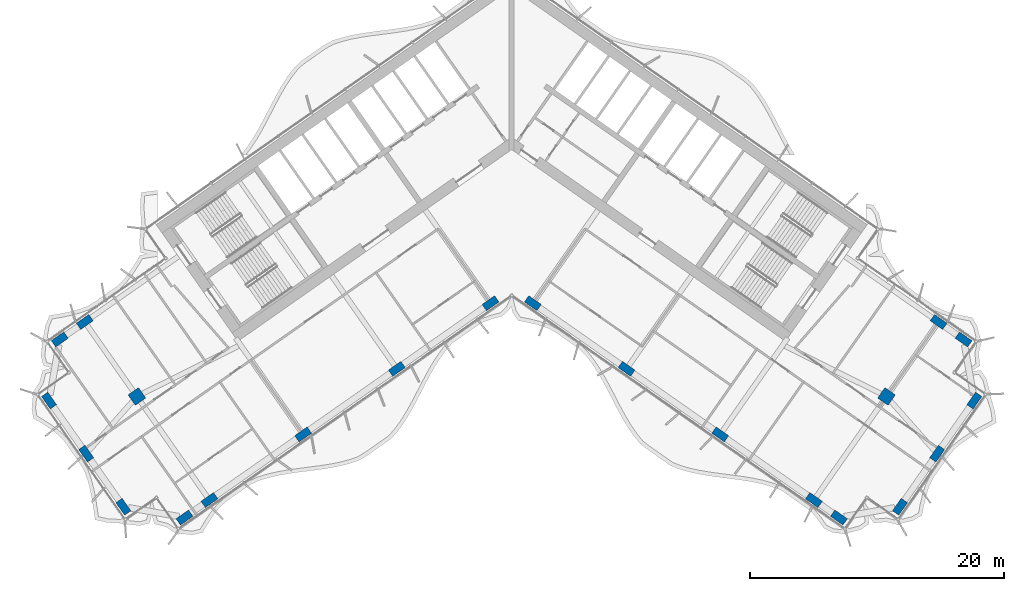
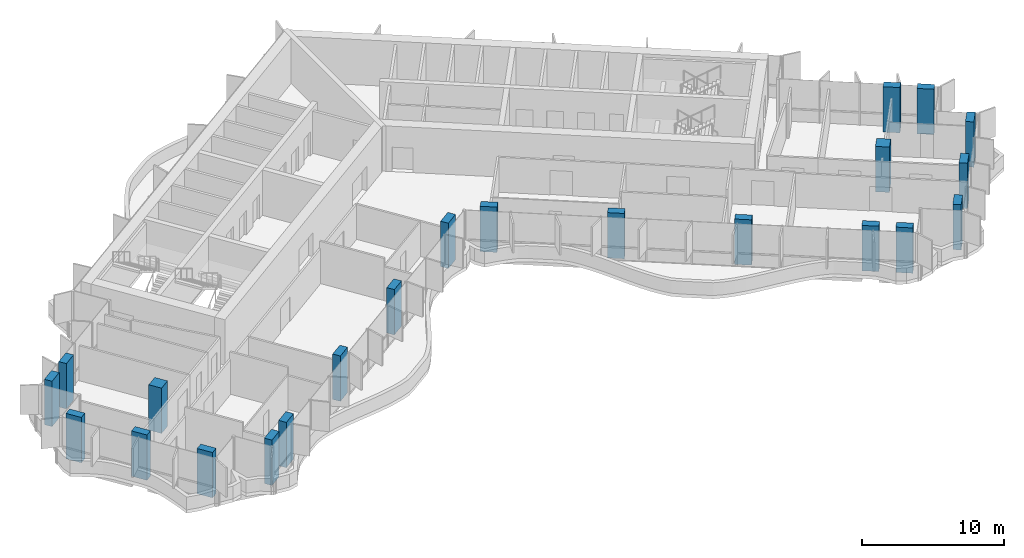
# One storey, part 1 of 23: 22 columns.
"""IFC4 building model written with IfcOpenShell, lengths in metres."""

from ifc_helpers import new_model, si_unit, direction, frame, origin, origin_2d, place, context, subcontext, project, spatial, rectangle, extrude, material, material_profile, profile_set, type_object, element, save


model = new_model("IFC4")

# Units and contexts
model_context = context("Model", 3, precision=1e-05, world=origin(), true_north=direction((0.0, 1.0)))
body_context = subcontext(model_context, "Body", "Model", "MODEL_VIEW")
ifc_project = project(units=[si_unit("LENGTHUNIT", "METRE"), si_unit("AREAUNIT", "SQUARE_METRE"), si_unit("VOLUMEUNIT", "CUBIC_METRE"), si_unit("PLANEANGLEUNIT", "RADIAN"), si_unit("MASSUNIT", "GRAM", prefix="KILO")], contexts=[model_context])

# Site, building, storey
site_placement = place(None, origin())
site = spatial("IfcSite", under=ifc_project, at=site_placement, CompositionType="ELEMENT")
building_placement = place(site_placement, origin())
building = spatial("IfcBuilding", under=site, at=building_placement, Name="Tel Ilan Convention Tower", CompositionType="ELEMENT")
storey_placement = place(building_placement, frame((0.0, 0.0, 171.0)))
storey = spatial("IfcBuildingStorey", under=building, at=storey_placement, Name="L39", CompositionType="ELEMENT", Elevation=171.0)

# Columns
ifc_material_1 = material(Name="Concrete C50/60", Category="concrete")
ifc_material_profile_1 = material_profile(ifc_material_1, rectangle(XDim=1.0, YDim=1.0, at=origin_2d()), Name="RC 1000x1000")
ifc_profile_set_1 = profile_set([ifc_material_profile_1], Name="Concrete C50/60")
column_type_1 = type_object("IfcColumnType", Name="Column RC 1000x1000 C50/60", PredefinedType="COLUMN", material=ifc_profile_set_1)
for number, where, z_axis, x_axis, name in (
    (1, (-29.489501953125, -20.648681640625, 0.0), (0.0, 0.0, 1.0), (-0.819152044289, -0.573576436351, 0.0), "L39 column W-M4"),
    (2, (29.489501953125, -20.648681640625, 0.0), (0.0, 0.0, 1.0), (0.819152044289, -0.573576436351, 0.0), "L39 column E-M4"),
):
    element("IfcColumn", number, at=place(storey_placement, frame(where, z_axis=z_axis, x_axis=x_axis)), inside=storey, type_object=column_type_1, Name=name, PredefinedType="COLUMN", context=body_context, shape_type="SweptSolid", body=[
        extrude(rectangle(XDim=1.0, YDim=1.0, at=origin_2d()), origin(), (0.0, 0.0, 1.0), 3.89990234375),
    ])
ifc_material_2 = material(Name="Concrete C50/60", Category="concrete")
ifc_material_profile_2 = material_profile(ifc_material_2, rectangle(XDim=1.199951171875, YDim=0.60009765625, at=origin_2d()), Name="RC 600x1200")
ifc_profile_set_2 = profile_set([ifc_material_profile_2], Name="Concrete C50/60")
column_type_2 = type_object("IfcColumnType", Name="Column RC 600x1200 C50/60", PredefinedType="COLUMN", material=ifc_profile_set_2)
for number, where, z_axis, x_axis, name in (
    (3, (-1.665283203125, -13.312744140625, 0.0), (0.0, 0.0, 1.0), (-0.819152044289, -0.573576436351, 0.0), "L39 column W-F1"),
    (4, (-9.03759765625, -18.474853515625, 0.0), (0.0, 0.0, 1.0), (-0.819152044289, -0.573576436351, 0.0), "L39 column W-F2"),
    (5, (-16.409912109375, -23.63720703125, 0.0), (0.0, 0.0, 1.0), (-0.819152044289, -0.573576436351, 0.0), "L39 column W-F3"),
    (6, (-23.782470703125, -28.79931640625, 0.0), (0.0, 0.0, 1.0), (-0.819152044289, -0.573576436351, 0.0), "L39 column W-F4"),
    (7, (-25.748291015625, -30.17578125, 0.0), (0.0, 0.0, 1.0), (-0.819152044289, -0.573576436351, 0.0), "L39 column W-FC"),
    (8, (-33.590576171875, -14.791748046875, 0.0), (0.0, 0.0, 1.0), (-0.819152044289, -0.573576436351, 0.0), "L39 column W-B4"),
    (9, (-35.556396484375, -16.16845703125, 0.0), (0.0, 0.0, 1.0), (-0.819152044289, -0.573576436351, 0.0), "L39 column W-BC"),
    (10, (-30.55322265625, -29.32861328125, 0.0), (0.0, 0.0, 1.0), (-0.573576436351, 0.819152044289, 0.0), "L39 column W-E1"),
    (11, (-33.478515625, -25.15087890625, 0.0), (0.0, 0.0, 1.0), (-0.573576436351, 0.819152044289, 0.0), "L39 column W-E2"),
    (12, (-36.40380859375, -20.973388671875, 0.0), (0.0, 0.0, 1.0), (-0.573576436351, 0.819152044289, 0.0), "L39 column W-E3"),
    (13, (1.665283203125, -13.312744140625, 0.0), (0.0, 0.0, 1.0), (0.819152044289, -0.573576436351, 0.0), "L39 column E-F1"),
    (14, (9.03759765625, -18.474853515625, 0.0), (0.0, 0.0, 1.0), (0.819152044289, -0.573576436351, 0.0), "L39 column E-F2"),
    (15, (16.409912109375, -23.63720703125, 0.0), (0.0, 0.0, 1.0), (0.819152044289, -0.573576436351, 0.0), "L39 column E-F3"),
    (16, (23.782470703125, -28.79931640625, 0.0), (0.0, 0.0, 1.0), (0.819152044289, -0.573576436351, 0.0), "L39 column E-F4"),
    (17, (25.748291015625, -30.17578125, 0.0), (0.0, 0.0, 1.0), (0.819152044289, -0.573576436351, 0.0), "L39 column E-FC"),
    (18, (33.590576171875, -14.791748046875, 0.0), (0.0, 0.0, 1.0), (0.819152044289, -0.573576436351, 0.0), "L39 column E-B4"),
    (19, (35.556396484375, -16.16845703125, 0.0), (0.0, 0.0, 1.0), (0.819152044289, -0.573576436351, 0.0), "L39 column E-BC"),
    (20, (30.55322265625, -29.32861328125, 0.0), (0.0, 0.0, 1.0), (0.573576436351, 0.819152044289, 0.0), "L39 column E-E1"),
    (21, (33.478515625, -25.15087890625, 0.0), (0.0, 0.0, 1.0), (0.573576436351, 0.819152044289, 0.0), "L39 column E-E2"),
    (22, (36.40380859375, -20.973388671875, 0.0), (0.0, 0.0, 1.0), (0.573576436351, 0.819152044289, 0.0), "L39 column E-E3"),
):
    element("IfcColumn", number, at=place(storey_placement, frame(where, z_axis=z_axis, x_axis=x_axis)), inside=storey, type_object=column_type_2, Name=name, PredefinedType="COLUMN", context=body_context, shape_type="SweptSolid", body=[
        extrude(rectangle(XDim=1.199951171875, YDim=0.60009765625, at=origin_2d()), origin(), (0.0, 0.0, 1.0), 3.89990234375),
    ])

save(model, "model.ifc")
